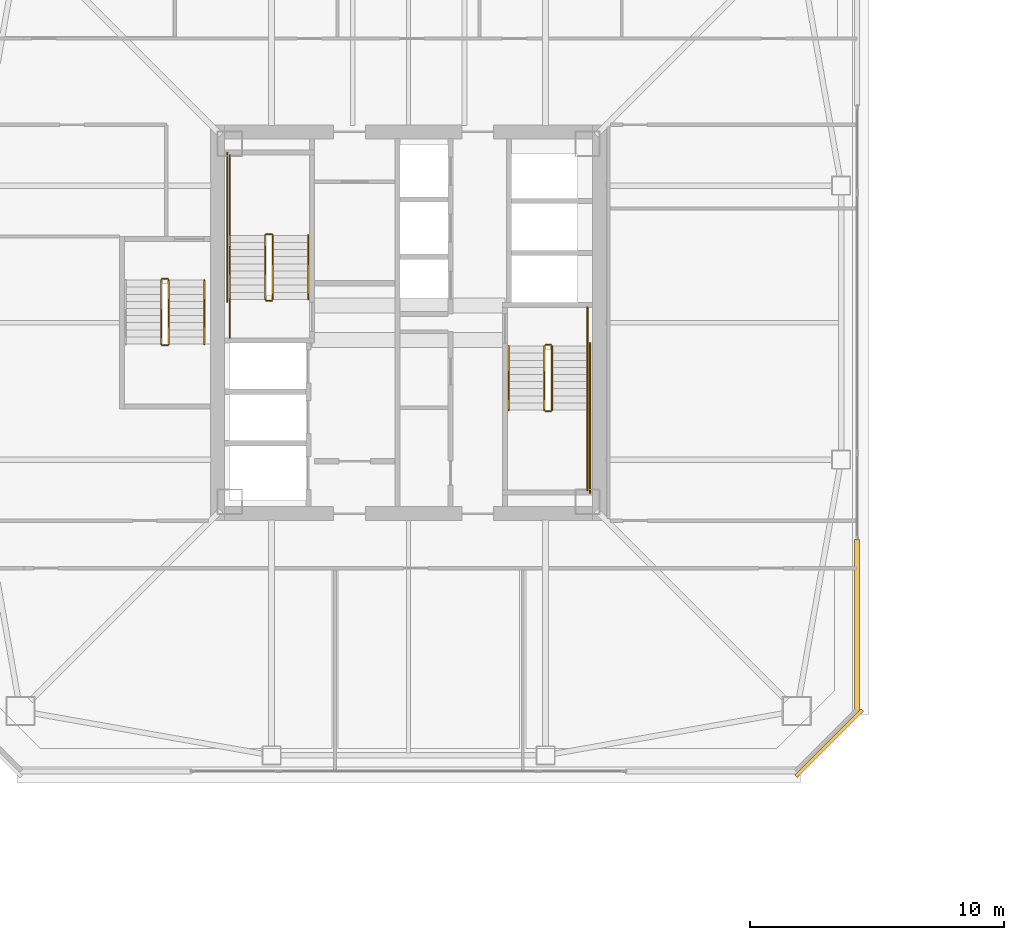
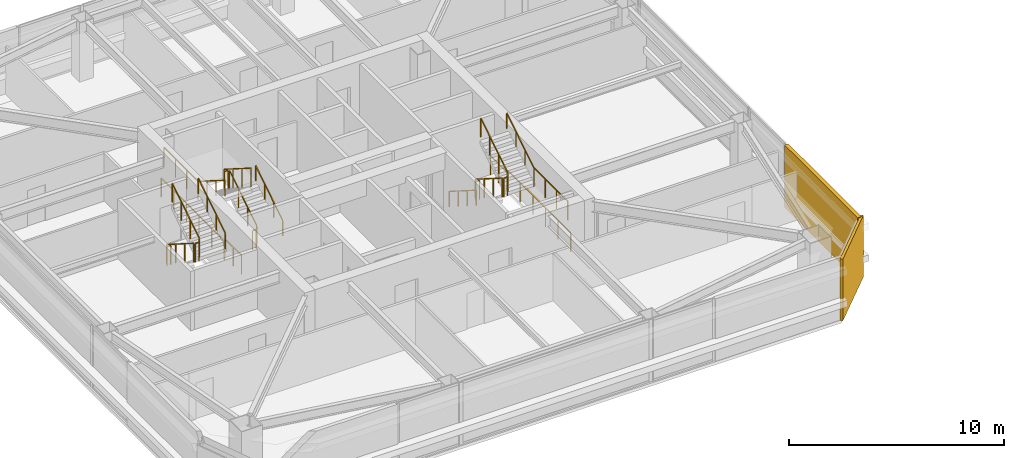
# One storey, part 38 of 42: 23 railings, 2 coverings.
"""IFC4 building model written with IfcOpenShell, lengths in metres."""

from ifc_helpers import new_model, si_unit, direction, frame, origin, origin_2d, place, context, subcontext, project, spatial, rectangle, extrude, material, layer, layer_set, type_object, element, save


model = new_model("IFC4")

# Units and contexts
model_context = context("Model", 3, precision=1e-05, world=origin(), true_north=direction((0.0, 1.0)))
body_context = subcontext(model_context, "Body", "Model", "MODEL_VIEW")
ifc_project = project(units=[si_unit("LENGTHUNIT", "METRE"), si_unit("AREAUNIT", "SQUARE_METRE"), si_unit("VOLUMEUNIT", "CUBIC_METRE"), si_unit("PLANEANGLEUNIT", "RADIAN"), si_unit("MASSUNIT", "GRAM", prefix="KILO")], contexts=[model_context])

# Site, building, storey
site_placement = place(None, origin())
site = spatial("IfcSite", under=ifc_project, at=site_placement, CompositionType="ELEMENT")
building_placement = place(site_placement, origin())
building = spatial("IfcBuilding", under=site, at=building_placement, Name="Tashvorn Skyway Center", CompositionType="ELEMENT")
storey_placement = place(building_placement, frame((0.0, 0.0, 164.10009765625)))
storey = spatial("IfcBuildingStorey", under=building, at=storey_placement, Name="L44", CompositionType="ELEMENT", Elevation=164.10009765625)

# Coverings
ifc_material_1 = material(Name="Precast concrete C40/50", Category="concrete")
ifc_layer_1 = layer(ifc_material_1, 0.199951171875)
ifc_layer_set_1 = layer_set([ifc_layer_1], Name="Precast concrete C40/50")
covering_type_1 = type_object("IfcCoveringType", Name="COV-BRACE-CLAD", PredefinedType="CLADDING", material=ifc_layer_set_1)
covering_1_placement = place(storey_placement, frame((59.679931640625, 20.037841796875, 0.0), z_axis=(0.0, 0.0, 1.0), x_axis=(0.0, -1.0, 0.0)))
element("IfcCovering", 1, at=covering_1_placement, inside=storey, type_object=covering_type_1, Name="Tower 1 L44 East Unitised Curtain Wall Mega-Brace Cladding Band 2", PredefinedType="CLADDING", context=body_context, shape_type="SweptSolid", body=[
    extrude(rectangle(XDim=6.835693359375, YDim=0.199951171875, at=origin_2d()), origin(), (0.0, 0.0, 1.0), 3.550048828125),
])
ifc_layer_2 = layer(ifc_material_1, 0.35009765625)
ifc_layer_set_2 = layer_set([ifc_layer_2], Name="Precast concrete C40/50")
covering_type_2 = type_object("IfcCoveringType", Name="COV-STONE-TRIM", PredefinedType="CLADDING", material=ifc_layer_set_2)
covering_2_placement = place(storey_placement, frame((58.570068359375, 15.429931640625, 0.02001953125), z_axis=(0.0, 0.0, 1.0), x_axis=(0.707106781187, 0.707106781187, 0.0)))
element("IfcCovering", 2, at=covering_2_placement, inside=storey, type_object=covering_type_2, Name="Tower 1 L44 SE Mojave Limestone Corner Quoin", PredefinedType="CLADDING", context=body_context, shape_type="SweptSolid", body=[
    extrude(rectangle(XDim=3.695556640625, YDim=0.139892578125, at=origin_2d()), origin(), (0.0, 0.0, 1.0), 3.510009765625),
])

# Railings
ifc_material_2 = material(Name="Brushed stainless steel 316", Category="steel")
railing_type_1 = type_object("IfcRailingType", Name="RAIL-HAND-920", PredefinedType="HANDRAIL", material=ifc_material_2)
railing_1_placement = place(storey_placement, frame((38.050048828125, 32.919921875, 0.177490234375)))
element("IfcRailing", 3, at=railing_1_placement, inside=storey, type_object=railing_type_1, Name="L44 ST-T1-1 stair handrail 1", PredefinedType="HANDRAIL", context=body_context, shape_type="SweptSolid", body=[
    extrude(rectangle(XDim=0.048095703125, YDim=0.048095703125, at=origin_2d()), frame((0.0, 0.0, 0.8759765625), z_axis=(0.0, 0.84460694969, 0.535386869969), x_axis=(-1.0, 0.0, 0.0)), (0.0, 0.0, 1.0), 2.983642578125),
    extrude(rectangle(XDim=0.0419921875, YDim=0.0419921875, at=origin_2d()), origin(), (0.0, 0.0, 1.0), 0.851806640625),
    extrude(rectangle(XDim=0.0419921875, YDim=0.0419921875, at=origin_2d()), frame((0.0, 0.840087890625, 0.532470703125)), (0.0, 0.0, 1.0), 0.851806640625),
    extrude(rectangle(XDim=0.0419921875, YDim=0.0419921875, at=origin_2d()), frame((0.0, 1.679931640625, 1.06494140625)), (0.0, 0.0, 1.0), 0.851806640625),
    extrude(rectangle(XDim=0.0419921875, YDim=0.0419921875, at=origin_2d()), frame((0.0, 2.52001953125, 1.597412109375)), (0.0, 0.0, 1.0), 0.851806640625),
])
for number, where, name in (
    (4, (34.949951171875, 35.43994140625, 1.952392578125), "L44 ST-T1-1 stair handrail 2"),
    (5, (45.949951171875, 31.080078125, 0.177490234375), "L44 ST-T1-2 stair handrail 1"),
):
    element("IfcRailing", number, at=place(storey_placement, frame(where)), inside=storey, type_object=railing_type_1, Name=name, PredefinedType="HANDRAIL", context=body_context, shape_type="SweptSolid", body=[
        extrude(rectangle(XDim=0.048095703125, YDim=0.048095703125, at=origin_2d()), frame((0.0, 0.0, 0.8759765625), z_axis=(0.0, -0.84460694969, 0.535386869969), x_axis=(1.0, 0.0, 0.0)), (0.0, 0.0, 1.0), 2.983642578125),
        extrude(rectangle(XDim=0.0419921875, YDim=0.0419921875, at=origin_2d()), origin(), (0.0, 0.0, 1.0), 0.851806640625),
        extrude(rectangle(XDim=0.0419921875, YDim=0.0419921875, at=origin_2d()), frame((0.0, -0.840087890625, 0.532470703125)), (0.0, 0.0, 1.0), 0.851806640625),
        extrude(rectangle(XDim=0.0419921875, YDim=0.0419921875, at=origin_2d()), frame((0.0, -1.679931640625, 1.06494140625)), (0.0, 0.0, 1.0), 0.851806640625),
        extrude(rectangle(XDim=0.0419921875, YDim=0.0419921875, at=origin_2d()), frame((0.0, -2.52001953125, 1.597412109375)), (0.0, 0.0, 1.0), 0.851806640625),
    ])
for number, where, name in (
    (6, (49.050048828125, 28.56005859375, 1.952392578125), "L44 ST-T1-2 stair handrail 2"),
    (7, (33.949951171875, 31.159912109375, 1.952392578125), "L44 ST-T1-3 stair handrail 2"),
):
    element("IfcRailing", number, at=place(storey_placement, frame(where)), inside=storey, type_object=railing_type_1, Name=name, PredefinedType="HANDRAIL", context=body_context, shape_type="SweptSolid", body=[
        extrude(rectangle(XDim=0.048095703125, YDim=0.048095703125, at=origin_2d()), frame((0.0, 0.0, 0.8759765625), z_axis=(0.0, 0.84460694969, 0.535386869969), x_axis=(-1.0, 0.0, 0.0)), (0.0, 0.0, 1.0), 2.983642578125),
        extrude(rectangle(XDim=0.0419921875, YDim=0.0419921875, at=origin_2d()), origin(), (0.0, 0.0, 1.0), 0.851806640625),
        extrude(rectangle(XDim=0.0419921875, YDim=0.0419921875, at=origin_2d()), frame((0.0, 0.840087890625, 0.532470703125)), (0.0, 0.0, 1.0), 0.851806640625),
        extrude(rectangle(XDim=0.0419921875, YDim=0.0419921875, at=origin_2d()), frame((0.0, 1.679931640625, 1.06494140625)), (0.0, 0.0, 1.0), 0.851806640625),
        extrude(rectangle(XDim=0.0419921875, YDim=0.0419921875, at=origin_2d()), frame((0.0, 2.52001953125, 1.597412109375)), (0.0, 0.0, 1.0), 0.851806640625),
    ])
ifc_material_3 = material(Name="Painted galvanized steel S355", Category="steel")
railing_type_2 = type_object("IfcRailingType", Name="RAIL-STGUARD-1100", PredefinedType="GUARDRAIL", material=ifc_material_3)
railing_2_placement = place(storey_placement, frame((36.64990234375, 32.919921875, 0.177490234375)))
element("IfcRailing", 8, at=railing_2_placement, inside=storey, type_object=railing_type_2, Name="L44 ST-T1-1 stair guard 1", PredefinedType="GUARDRAIL", context=body_context, shape_type="SweptSolid", body=[
    extrude(rectangle(XDim=0.048095703125, YDim=0.048095703125, at=origin_2d()), frame((0.0, 0.0, 1.076171875), z_axis=(0.0, 0.84460694969, 0.535386869969), x_axis=(-1.0, 0.0, 0.0)), (0.0, 0.0, 1.0), 2.983642578125),
    extrude(rectangle(XDim=0.0419921875, YDim=0.0419921875, at=origin_2d()), origin(), (0.0, 0.0, 1.0), 1.052001953125),
    extrude(rectangle(XDim=0.0419921875, YDim=0.0419921875, at=origin_2d()), frame((0.0, 0.840087890625, 0.532470703125)), (0.0, 0.0, 1.0), 1.052001953125),
    extrude(rectangle(XDim=0.0419921875, YDim=0.0419921875, at=origin_2d()), frame((0.0, 1.679931640625, 1.06494140625)), (0.0, 0.0, 1.0), 1.052001953125),
    extrude(rectangle(XDim=0.0419921875, YDim=0.0419921875, at=origin_2d()), frame((0.0, 2.52001953125, 1.597412109375)), (0.0, 0.0, 1.0), 1.052001953125),
])
railing_3_placement = place(storey_placement, frame((36.60009765625, 35.489990234375, 1.77490234375)))
element("IfcRailing", 9, at=railing_3_placement, inside=storey, type_object=railing_type_2, Name="L44 ST-T1-1 stair guard 2", PredefinedType="GUARDRAIL", context=body_context, shape_type="SweptSolid", body=[
    extrude(rectangle(XDim=0.048095703125, YDim=0.048095703125, at=origin_2d()), frame((0.0, 0.0, 1.076171875), z_axis=(-1.0, 0.0, 0.0), x_axis=(0.0, -1.0, 0.0)), (0.0, 0.0, 1.0), 0.2001953125),
    extrude(rectangle(XDim=0.0419921875, YDim=0.0419921875, at=origin_2d()), origin(), (0.0, 0.0, 1.0), 1.052001953125),
    extrude(rectangle(XDim=0.0419921875, YDim=0.0419921875, at=origin_2d()), frame((-0.2001953125, 0.0, 0.0)), (0.0, 0.0, 1.0), 1.052001953125),
])
railing_4_placement = place(storey_placement, frame((34.949951171875, 35.43994140625, 1.77490234375)))
element("IfcRailing", 10, at=railing_4_placement, inside=storey, type_object=railing_type_2, Name="L44 ST-T1-1 stair guard 3", PredefinedType="GUARDRAIL", context=body_context, shape_type="SweptSolid", body=[
    extrude(rectangle(XDim=0.048095703125, YDim=0.048095703125, at=origin_2d()), frame((0.0, 0.0, 1.076171875), z_axis=(0.0, 1.0, 0.0), x_axis=(-1.0, 0.0, 0.0)), (0.0, 0.0, 1.0), 3.16015625),
    extrude(rectangle(XDim=0.0419921875, YDim=0.0419921875, at=origin_2d()), origin(), (0.0, 0.0, 1.0), 1.052001953125),
    extrude(rectangle(XDim=0.0419921875, YDim=0.0419921875, at=origin_2d()), frame((0.0, 1.053466796875, 0.0)), (0.0, 0.0, 1.0), 1.052001953125),
    extrude(rectangle(XDim=0.0419921875, YDim=0.0419921875, at=origin_2d()), frame((0.0, 2.106689453125, 0.0)), (0.0, 0.0, 1.0), 1.052001953125),
    extrude(rectangle(XDim=0.0419921875, YDim=0.0419921875, at=origin_2d()), frame((0.0, 3.16015625, 0.0)), (0.0, 0.0, 1.0), 1.052001953125),
])
railing_5_placement = place(storey_placement, frame((36.35009765625, 35.43994140625, 1.952392578125)))
element("IfcRailing", 11, at=railing_5_placement, inside=storey, type_object=railing_type_2, Name="L44 ST-T1-1 stair guard 4", PredefinedType="GUARDRAIL", context=body_context, shape_type="SweptSolid", body=[
    extrude(rectangle(XDim=0.048095703125, YDim=0.048095703125, at=origin_2d()), frame((0.0, 0.0, 1.076171875), z_axis=(0.0, -0.84460694969, 0.535386869969), x_axis=(1.0, 0.0, 0.0)), (0.0, 0.0, 1.0), 2.983642578125),
    extrude(rectangle(XDim=0.0419921875, YDim=0.0419921875, at=origin_2d()), origin(), (0.0, 0.0, 1.0), 1.052001953125),
    extrude(rectangle(XDim=0.0419921875, YDim=0.0419921875, at=origin_2d()), frame((0.0, -0.840087890625, 0.532470703125)), (0.0, 0.0, 1.0), 1.052001953125),
    extrude(rectangle(XDim=0.0419921875, YDim=0.0419921875, at=origin_2d()), frame((0.0, -1.679931640625, 1.06494140625)), (0.0, 0.0, 1.0), 1.052001953125),
    extrude(rectangle(XDim=0.0419921875, YDim=0.0419921875, at=origin_2d()), frame((0.0, -2.52001953125, 1.597412109375)), (0.0, 0.0, 1.0), 1.052001953125),
])
railing_6_placement = place(storey_placement, frame((36.60009765625, 32.8701171875, 0.0)))
element("IfcRailing", 12, at=railing_6_placement, inside=storey, type_object=railing_type_2, Name="L44 ST-T1-1 stair guard 5", PredefinedType="GUARDRAIL", context=body_context, shape_type="SweptSolid", body=[
    extrude(rectangle(XDim=0.048095703125, YDim=0.048095703125, at=origin_2d()), frame((0.0, 0.0, 1.076171875), z_axis=(-1.0, 0.0, 0.0), x_axis=(0.0, -1.0, 0.0)), (0.0, 0.0, 1.0), 0.2001953125),
    extrude(rectangle(XDim=0.0419921875, YDim=0.0419921875, at=origin_2d()), origin(), (0.0, 0.0, 1.0), 1.052001953125),
    extrude(rectangle(XDim=0.0419921875, YDim=0.0419921875, at=origin_2d()), frame((-0.2001953125, 0.0, 0.0)), (0.0, 0.0, 1.0), 1.052001953125),
])
railing_7_placement = place(storey_placement, frame((34.949951171875, 31.39990234375, 0.0)))
element("IfcRailing", 13, at=railing_7_placement, inside=storey, type_object=railing_type_2, Name="L44 ST-T1-1 stair guard 6", PredefinedType="GUARDRAIL", context=body_context, shape_type="SweptSolid", body=[
    extrude(rectangle(XDim=0.048095703125, YDim=0.048095703125, at=origin_2d()), frame((0.0, 0.0, 1.076171875), z_axis=(0.0, 1.0, 0.0), x_axis=(-1.0, 0.0, 0.0)), (0.0, 0.0, 1.0), 1.52001953125),
    extrude(rectangle(XDim=0.0419921875, YDim=0.0419921875, at=origin_2d()), origin(), (0.0, 0.0, 1.0), 1.052001953125),
    extrude(rectangle(XDim=0.0419921875, YDim=0.0419921875, at=origin_2d()), frame((0.0, 0.760009765625, 0.0)), (0.0, 0.0, 1.0), 1.052001953125),
    extrude(rectangle(XDim=0.0419921875, YDim=0.0419921875, at=origin_2d()), frame((0.0, 1.52001953125, 0.0)), (0.0, 0.0, 1.0), 1.052001953125),
])
railing_8_placement = place(storey_placement, frame((34.85009765625, 32.820068359375, 0.0)))
element("IfcRailing", 14, at=railing_8_placement, inside=storey, type_object=railing_type_2, Name="L44 ST-T1-1 stair guard 7", PredefinedType="GUARDRAIL", context=body_context, shape_type="SweptSolid", body=[
    extrude(rectangle(XDim=0.048095703125, YDim=0.048095703125, at=origin_2d()), frame((0.0, 0.0, 1.076171875), z_axis=(0.0, 1.0, 0.0), x_axis=(-1.0, 0.0, 0.0)), (0.0, 0.0, 1.0), 5.8798828125),
    extrude(rectangle(XDim=0.0419921875, YDim=0.0419921875, at=origin_2d()), origin(), (0.0, 0.0, 1.0), 1.052001953125),
    extrude(rectangle(XDim=0.0419921875, YDim=0.0419921875, at=origin_2d()), frame((0.0, 1.176025390625, 0.0)), (0.0, 0.0, 1.0), 1.052001953125),
    extrude(rectangle(XDim=0.0419921875, YDim=0.0419921875, at=origin_2d()), frame((0.0, 2.35205078125, 0.0)), (0.0, 0.0, 1.0), 1.052001953125),
    extrude(rectangle(XDim=0.0419921875, YDim=0.0419921875, at=origin_2d()), frame((0.0, 3.52783203125, 0.0)), (0.0, 0.0, 1.0), 1.052001953125),
    extrude(rectangle(XDim=0.0419921875, YDim=0.0419921875, at=origin_2d()), frame((0.0, 4.703857421875, 0.0)), (0.0, 0.0, 1.0), 1.052001953125),
    extrude(rectangle(XDim=0.0419921875, YDim=0.0419921875, at=origin_2d()), frame((0.0, 5.8798828125, 0.0)), (0.0, 0.0, 1.0), 1.052001953125),
])
railing_9_placement = place(storey_placement, frame((47.35009765625, 31.080078125, 0.177490234375)))
element("IfcRailing", 15, at=railing_9_placement, inside=storey, type_object=railing_type_2, Name="L44 ST-T1-2 stair guard 1", PredefinedType="GUARDRAIL", context=body_context, shape_type="SweptSolid", body=[
    extrude(rectangle(XDim=0.048095703125, YDim=0.048095703125, at=origin_2d()), frame((0.0, 0.0, 1.076171875), z_axis=(0.0, -0.84460694969, 0.535386869969), x_axis=(1.0, 0.0, 0.0)), (0.0, 0.0, 1.0), 2.983642578125),
    extrude(rectangle(XDim=0.0419921875, YDim=0.0419921875, at=origin_2d()), origin(), (0.0, 0.0, 1.0), 1.052001953125),
    extrude(rectangle(XDim=0.0419921875, YDim=0.0419921875, at=origin_2d()), frame((0.0, -0.840087890625, 0.532470703125)), (0.0, 0.0, 1.0), 1.052001953125),
    extrude(rectangle(XDim=0.0419921875, YDim=0.0419921875, at=origin_2d()), frame((0.0, -1.679931640625, 1.06494140625)), (0.0, 0.0, 1.0), 1.052001953125),
    extrude(rectangle(XDim=0.0419921875, YDim=0.0419921875, at=origin_2d()), frame((0.0, -2.52001953125, 1.597412109375)), (0.0, 0.0, 1.0), 1.052001953125),
])
railing_10_placement = place(storey_placement, frame((47.39990234375, 28.510009765625, 1.77490234375)))
element("IfcRailing", 16, at=railing_10_placement, inside=storey, type_object=railing_type_2, Name="L44 ST-T1-2 stair guard 2", PredefinedType="GUARDRAIL", context=body_context, shape_type="SweptSolid", body=[
    extrude(rectangle(XDim=0.048095703125, YDim=0.048095703125, at=origin_2d()), frame((0.0, 0.0, 1.076171875), z_axis=(1.0, 0.0, 0.0), x_axis=(0.0, 1.0, 0.0)), (0.0, 0.0, 1.0), 0.2001953125),
    extrude(rectangle(XDim=0.0419921875, YDim=0.0419921875, at=origin_2d()), origin(), (0.0, 0.0, 1.0), 1.052001953125),
    extrude(rectangle(XDim=0.0419921875, YDim=0.0419921875, at=origin_2d()), frame((0.2001953125, 0.0, 0.0)), (0.0, 0.0, 1.0), 1.052001953125),
])
railing_11_placement = place(storey_placement, frame((49.050048828125, 28.56005859375, 1.77490234375)))
element("IfcRailing", 17, at=railing_11_placement, inside=storey, type_object=railing_type_2, Name="L44 ST-T1-2 stair guard 3", PredefinedType="GUARDRAIL", context=body_context, shape_type="SweptSolid", body=[
    extrude(rectangle(XDim=0.048095703125, YDim=0.048095703125, at=origin_2d()), frame((0.0, 0.0, 1.076171875), z_axis=(0.0, -1.0, 0.0), x_axis=(1.0, 0.0, 0.0)), (0.0, 0.0, 1.0), 3.16015625),
    extrude(rectangle(XDim=0.0419921875, YDim=0.0419921875, at=origin_2d()), origin(), (0.0, 0.0, 1.0), 1.052001953125),
    extrude(rectangle(XDim=0.0419921875, YDim=0.0419921875, at=origin_2d()), frame((0.0, -1.053466796875, 0.0)), (0.0, 0.0, 1.0), 1.052001953125),
    extrude(rectangle(XDim=0.0419921875, YDim=0.0419921875, at=origin_2d()), frame((0.0, -2.106689453125, 0.0)), (0.0, 0.0, 1.0), 1.052001953125),
    extrude(rectangle(XDim=0.0419921875, YDim=0.0419921875, at=origin_2d()), frame((0.0, -3.16015625, 0.0)), (0.0, 0.0, 1.0), 1.052001953125),
])
railing_12_placement = place(storey_placement, frame((47.64990234375, 28.56005859375, 1.952392578125)))
element("IfcRailing", 18, at=railing_12_placement, inside=storey, type_object=railing_type_2, Name="L44 ST-T1-2 stair guard 4", PredefinedType="GUARDRAIL", context=body_context, shape_type="SweptSolid", body=[
    extrude(rectangle(XDim=0.048095703125, YDim=0.048095703125, at=origin_2d()), frame((0.0, 0.0, 1.076171875), z_axis=(0.0, 0.84460694969, 0.535386869969), x_axis=(-1.0, 0.0, 0.0)), (0.0, 0.0, 1.0), 2.983642578125),
    extrude(rectangle(XDim=0.0419921875, YDim=0.0419921875, at=origin_2d()), origin(), (0.0, 0.0, 1.0), 1.052001953125),
    extrude(rectangle(XDim=0.0419921875, YDim=0.0419921875, at=origin_2d()), frame((0.0, 0.840087890625, 0.532470703125)), (0.0, 0.0, 1.0), 1.052001953125),
    extrude(rectangle(XDim=0.0419921875, YDim=0.0419921875, at=origin_2d()), frame((0.0, 1.679931640625, 1.06494140625)), (0.0, 0.0, 1.0), 1.052001953125),
    extrude(rectangle(XDim=0.0419921875, YDim=0.0419921875, at=origin_2d()), frame((0.0, 2.52001953125, 1.597412109375)), (0.0, 0.0, 1.0), 1.052001953125),
])
railing_13_placement = place(storey_placement, frame((47.39990234375, 31.1298828125, 0.0)))
element("IfcRailing", 19, at=railing_13_placement, inside=storey, type_object=railing_type_2, Name="L44 ST-T1-2 stair guard 5", PredefinedType="GUARDRAIL", context=body_context, shape_type="SweptSolid", body=[
    extrude(rectangle(XDim=0.048095703125, YDim=0.048095703125, at=origin_2d()), frame((0.0, 0.0, 1.076171875), z_axis=(1.0, 0.0, 0.0), x_axis=(0.0, 1.0, 0.0)), (0.0, 0.0, 1.0), 0.2001953125),
    extrude(rectangle(XDim=0.0419921875, YDim=0.0419921875, at=origin_2d()), origin(), (0.0, 0.0, 1.0), 1.052001953125),
    extrude(rectangle(XDim=0.0419921875, YDim=0.0419921875, at=origin_2d()), frame((0.2001953125, 0.0, 0.0)), (0.0, 0.0, 1.0), 1.052001953125),
])
railing_14_placement = place(storey_placement, frame((49.050048828125, 32.60009765625, 0.0)))
element("IfcRailing", 20, at=railing_14_placement, inside=storey, type_object=railing_type_2, Name="L44 ST-T1-2 stair guard 6", PredefinedType="GUARDRAIL", context=body_context, shape_type="SweptSolid", body=[
    extrude(rectangle(XDim=0.048095703125, YDim=0.048095703125, at=origin_2d()), frame((0.0, 0.0, 1.076171875), z_axis=(0.0, -1.0, 0.0), x_axis=(1.0, 0.0, 0.0)), (0.0, 0.0, 1.0), 1.52001953125),
    extrude(rectangle(XDim=0.0419921875, YDim=0.0419921875, at=origin_2d()), origin(), (0.0, 0.0, 1.0), 1.052001953125),
    extrude(rectangle(XDim=0.0419921875, YDim=0.0419921875, at=origin_2d()), frame((0.0, -0.760009765625, 0.0)), (0.0, 0.0, 1.0), 1.052001953125),
    extrude(rectangle(XDim=0.0419921875, YDim=0.0419921875, at=origin_2d()), frame((0.0, -1.52001953125, 0.0)), (0.0, 0.0, 1.0), 1.052001953125),
])
railing_15_placement = place(storey_placement, frame((49.14990234375, 31.179931640625, 0.0)))
element("IfcRailing", 21, at=railing_15_placement, inside=storey, type_object=railing_type_2, Name="L44 ST-T1-2 stair guard 7", PredefinedType="GUARDRAIL", context=body_context, shape_type="SweptSolid", body=[
    extrude(rectangle(XDim=0.048095703125, YDim=0.048095703125, at=origin_2d()), frame((0.0, 0.0, 1.076171875), z_axis=(0.0, -1.0, 0.0), x_axis=(1.0, 0.0, 0.0)), (0.0, 0.0, 1.0), 5.8798828125),
    extrude(rectangle(XDim=0.0419921875, YDim=0.0419921875, at=origin_2d()), origin(), (0.0, 0.0, 1.0), 1.052001953125),
    extrude(rectangle(XDim=0.0419921875, YDim=0.0419921875, at=origin_2d()), frame((0.0, -1.176025390625, 0.0)), (0.0, 0.0, 1.0), 1.052001953125),
    extrude(rectangle(XDim=0.0419921875, YDim=0.0419921875, at=origin_2d()), frame((0.0, -2.35205078125, 0.0)), (0.0, 0.0, 1.0), 1.052001953125),
    extrude(rectangle(XDim=0.0419921875, YDim=0.0419921875, at=origin_2d()), frame((0.0, -3.52783203125, 0.0)), (0.0, 0.0, 1.0), 1.052001953125),
    extrude(rectangle(XDim=0.0419921875, YDim=0.0419921875, at=origin_2d()), frame((0.0, -4.703857421875, 0.0)), (0.0, 0.0, 1.0), 1.052001953125),
    extrude(rectangle(XDim=0.0419921875, YDim=0.0419921875, at=origin_2d()), frame((0.0, -5.8798828125, 0.0)), (0.0, 0.0, 1.0), 1.052001953125),
])
railing_16_placement = place(storey_placement, frame((32.25, 33.679931640625, 0.177490234375)))
element("IfcRailing", 22, at=railing_16_placement, inside=storey, type_object=railing_type_2, Name="L44 ST-T1-3 stair guard 1", PredefinedType="GUARDRAIL", context=body_context, shape_type="SweptSolid", body=[
    extrude(rectangle(XDim=0.048095703125, YDim=0.048095703125, at=origin_2d()), frame((0.0, 0.0, 1.076171875), z_axis=(0.0, -0.84460694969, 0.535386869969), x_axis=(1.0, 0.0, 0.0)), (0.0, 0.0, 1.0), 2.983642578125),
    extrude(rectangle(XDim=0.0419921875, YDim=0.0419921875, at=origin_2d()), origin(), (0.0, 0.0, 1.0), 1.052001953125),
    extrude(rectangle(XDim=0.0419921875, YDim=0.0419921875, at=origin_2d()), frame((0.0, -0.840087890625, 0.532470703125)), (0.0, 0.0, 1.0), 1.052001953125),
    extrude(rectangle(XDim=0.0419921875, YDim=0.0419921875, at=origin_2d()), frame((0.0, -1.679931640625, 1.06494140625)), (0.0, 0.0, 1.0), 1.052001953125),
    extrude(rectangle(XDim=0.0419921875, YDim=0.0419921875, at=origin_2d()), frame((0.0, -2.52001953125, 1.597412109375)), (0.0, 0.0, 1.0), 1.052001953125),
])
railing_17_placement = place(storey_placement, frame((32.300048828125, 31.110107421875, 1.77490234375)))
element("IfcRailing", 23, at=railing_17_placement, inside=storey, type_object=railing_type_2, Name="L44 ST-T1-3 stair guard 2", PredefinedType="GUARDRAIL", context=body_context, shape_type="SweptSolid", body=[
    extrude(rectangle(XDim=0.048095703125, YDim=0.048095703125, at=origin_2d()), frame((0.0, 0.0, 1.076171875), z_axis=(1.0, 0.0, 0.0), x_axis=(0.0, 1.0, 0.0)), (0.0, 0.0, 1.0), 0.199951171875),
    extrude(rectangle(XDim=0.0419921875, YDim=0.0419921875, at=origin_2d()), origin(), (0.0, 0.0, 1.0), 1.052001953125),
    extrude(rectangle(XDim=0.0419921875, YDim=0.0419921875, at=origin_2d()), frame((0.199951171875, 0.0, 0.0)), (0.0, 0.0, 1.0), 1.052001953125),
])
railing_18_placement = place(storey_placement, frame((32.550048828125, 31.159912109375, 1.952392578125)))
element("IfcRailing", 24, at=railing_18_placement, inside=storey, type_object=railing_type_2, Name="L44 ST-T1-3 stair guard 3", PredefinedType="GUARDRAIL", context=body_context, shape_type="SweptSolid", body=[
    extrude(rectangle(XDim=0.048095703125, YDim=0.048095703125, at=origin_2d()), frame((0.0, 0.0, 1.076171875), z_axis=(0.0, 0.84460694969, 0.535386869969), x_axis=(-1.0, 0.0, 0.0)), (0.0, 0.0, 1.0), 2.983642578125),
    extrude(rectangle(XDim=0.0419921875, YDim=0.0419921875, at=origin_2d()), origin(), (0.0, 0.0, 1.0), 1.052001953125),
    extrude(rectangle(XDim=0.0419921875, YDim=0.0419921875, at=origin_2d()), frame((0.0, 0.840087890625, 0.532470703125)), (0.0, 0.0, 1.0), 1.052001953125),
    extrude(rectangle(XDim=0.0419921875, YDim=0.0419921875, at=origin_2d()), frame((0.0, 1.679931640625, 1.06494140625)), (0.0, 0.0, 1.0), 1.052001953125),
    extrude(rectangle(XDim=0.0419921875, YDim=0.0419921875, at=origin_2d()), frame((0.0, 2.52001953125, 1.597412109375)), (0.0, 0.0, 1.0), 1.052001953125),
])
railing_19_placement = place(storey_placement, frame((32.300048828125, 33.72998046875, 0.0)))
element("IfcRailing", 25, at=railing_19_placement, inside=storey, type_object=railing_type_2, Name="L44 ST-T1-3 stair guard 4", PredefinedType="GUARDRAIL", context=body_context, shape_type="SweptSolid", body=[
    extrude(rectangle(XDim=0.048095703125, YDim=0.048095703125, at=origin_2d()), frame((0.0, 0.0, 1.076171875), z_axis=(1.0, 0.0, 0.0), x_axis=(0.0, 1.0, 0.0)), (0.0, 0.0, 1.0), 0.199951171875),
    extrude(rectangle(XDim=0.0419921875, YDim=0.0419921875, at=origin_2d()), origin(), (0.0, 0.0, 1.0), 1.052001953125),
    extrude(rectangle(XDim=0.0419921875, YDim=0.0419921875, at=origin_2d()), frame((0.199951171875, 0.0, 0.0)), (0.0, 0.0, 1.0), 1.052001953125),
])

save(model, "model.ifc")
